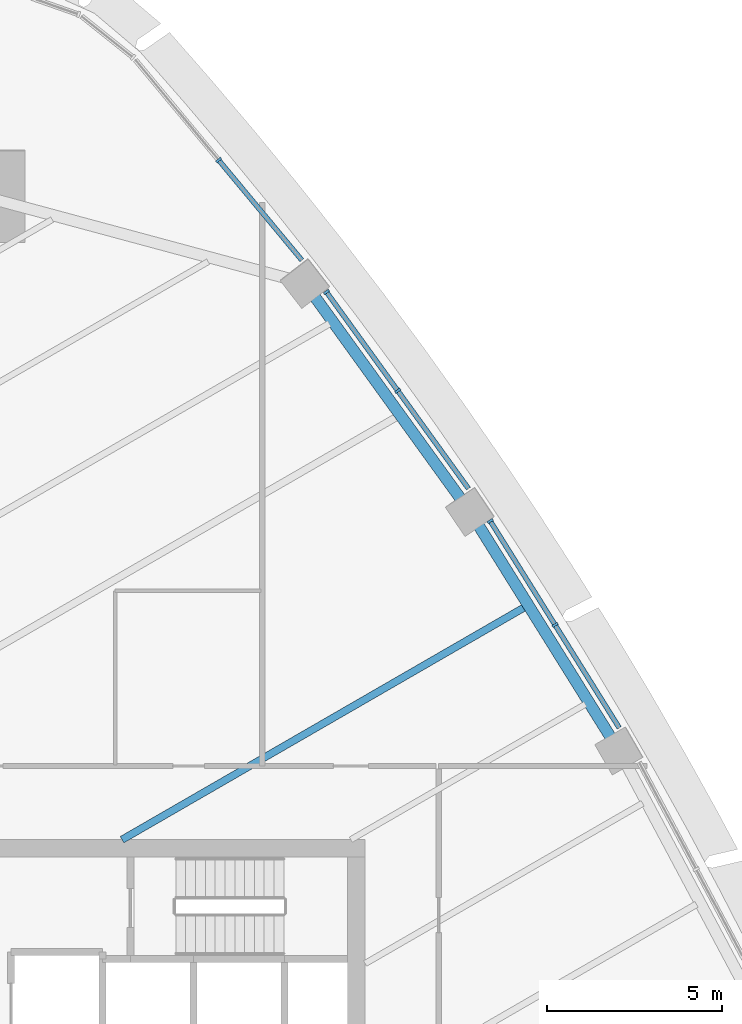
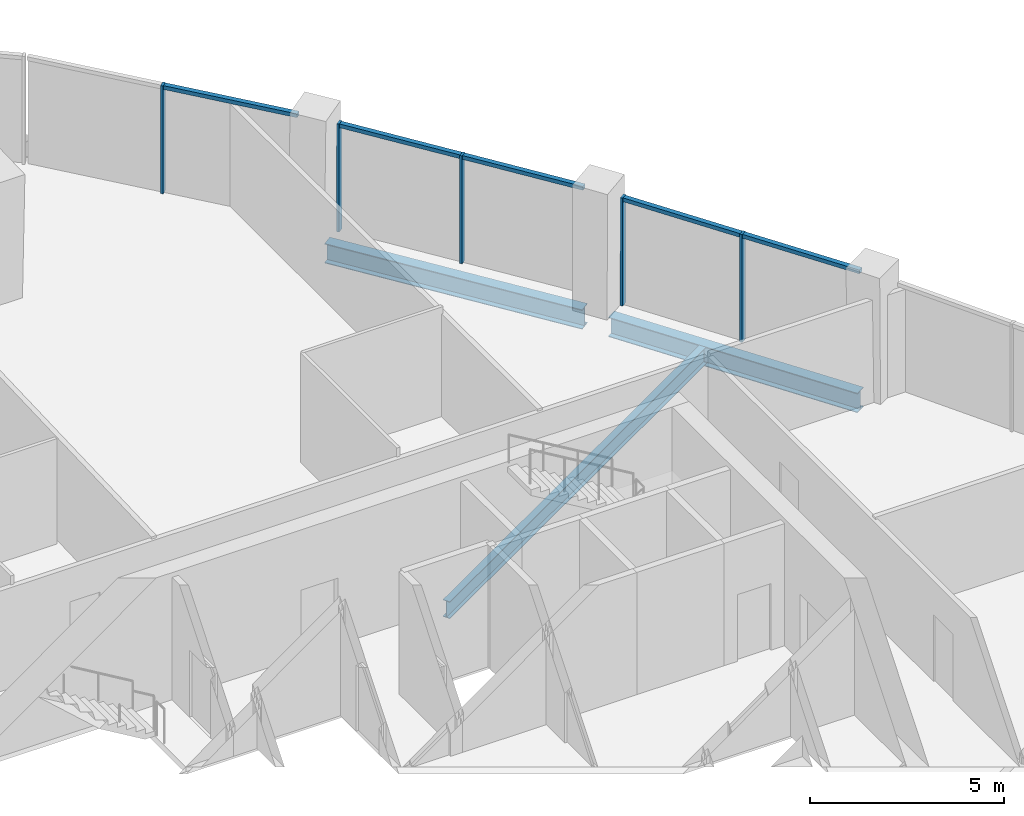
# One storey, part 6 of 18: 10 members, 3 beams, 3 elements without a shape of their own.
"""IFC4 building model written with IfcOpenShell, lengths in metres."""

from ifc_helpers import new_model, si_unit, direction, frame, origin, origin_2d, place, context, subcontext, project, spatial, rectangle, i_section, extrude, material, layer, layer_set, material_profile, profile_set, type_object, element, aggregate, save


model = new_model("IFC4")

# Units and contexts
model_context = context("Model", 3, precision=1e-05, world=origin(), true_north=direction((0.0, 1.0)))
body_context = subcontext(model_context, "Body", "Model", "MODEL_VIEW")
ifc_project = project(units=[si_unit("LENGTHUNIT", "METRE"), si_unit("AREAUNIT", "SQUARE_METRE"), si_unit("VOLUMEUNIT", "CUBIC_METRE"), si_unit("PLANEANGLEUNIT", "RADIAN"), si_unit("MASSUNIT", "GRAM", prefix="KILO")], contexts=[model_context])

# Site, building, storey
site_placement = place(None, origin())
site = spatial("IfcSite", under=ifc_project, at=site_placement, CompositionType="ELEMENT")
building_placement = place(site_placement, origin())
building = spatial("IfcBuilding", under=site, at=building_placement, Name="Sierra Prisma Convention Tower", CompositionType="ELEMENT")
storey_placement = place(building_placement, frame((0.0, 0.0, 205.800048828125)))
storey = spatial("IfcBuildingStorey", under=building, at=storey_placement, Name="L46", CompositionType="ELEMENT", Elevation=205.800048828125)

# Curtain wall, members
ifc_material_1 = material(Name="Aluminium and glass curtain wall", Category="aluminium")
ifc_layer = layer(ifc_material_1, 0.179931640625)
ifc_layer_set = layer_set([ifc_layer], Name="CW-1 Plain shaft curtain wall")
curtain_wall_type = type_object("IfcCurtainWallType", Name="CW-1 Plain shaft curtain wall", PredefinedType="NOTDEFINED", material=ifc_layer_set)
curtain_wall_1_placement = place(storey_placement, origin())
curtain_wall_1 = element("IfcCurtainWall", 1, at=curtain_wall_1_placement, inside=storey, type_object=curtain_wall_type, Name="CW-1 NE4 L46", PredefinedType="NOTDEFINED")
ifc_material_2 = material(Name="Aluminium 6063-T6 bronze anodised", Category="aluminium")
ifc_material_profile_1 = material_profile(ifc_material_2, rectangle(XDim=0.179931640625, YDim=0.070068359375, at=origin_2d()), Name="ALU MULLION 70x180")
ifc_profile_set_1 = profile_set([ifc_material_profile_1], Name="Aluminium 6063-T6 bronze anodised")
member_type_1 = type_object("IfcMemberType", Name="CW mullion bronze", PredefinedType="MULLION", material=ifc_profile_set_1)
member_1_placement = place(storey_placement, frame((16.420166015625, 14.12890625, 0.0), z_axis=(0.0, 0.0, 1.0), x_axis=(-0.848554908311, -0.529107330871, 0.0)))
member_1 = element("IfcMember", 2, at=member_1_placement, type_object=member_type_1, Name="CW-1 mullion NE4.2", PredefinedType="MULLION", context=body_context, shape_type="SweptSolid", body=[
    extrude(rectangle(XDim=0.179931640625, YDim=0.070068359375, at=origin_2d()), origin(), (0.0, 0.0, 1.0), 3.39990234375),
])
member_2_placement = place(storey_placement, frame((14.57177734375, 17.093017578125, 0.0), z_axis=(0.0, 0.0, 1.0), x_axis=(-0.848554908311, -0.529107330871, 0.0)))
member_2 = element("IfcMember", 3, at=member_2_placement, type_object=member_type_1, Name="CW-1 mullion NE4.3", PredefinedType="MULLION", context=body_context, shape_type="SweptSolid", body=[
    extrude(rectangle(XDim=0.179931640625, YDim=0.070068359375, at=origin_2d()), origin(), (0.0, 0.0, 1.0), 3.39990234375),
])

curtain_wall_2_placement = place(storey_placement, origin())
curtain_wall_2 = element("IfcCurtainWall", 4, at=curtain_wall_2_placement, inside=storey, type_object=curtain_wall_type, Name="CW-1 NE5 L46", PredefinedType="NOTDEFINED")
member_3_placement = place(storey_placement, frame((11.932861328125, 20.810546875, 0.0), z_axis=(0.0, 0.0, 1.0), x_axis=(-0.810701414499, -0.585459833404, 0.0)))
member_3 = element("IfcMember", 5, at=member_3_placement, type_object=member_type_1, Name="CW-1 mullion NE5.2", PredefinedType="MULLION", context=body_context, shape_type="SweptSolid", body=[
    extrude(rectangle(XDim=0.179931640625, YDim=0.070068359375, at=origin_2d()), origin(), (0.0, 0.0, 1.0), 3.39990234375),
])
member_4_placement = place(storey_placement, frame((9.896728515625, 23.63037109375, 0.0), z_axis=(0.0, 0.0, 1.0), x_axis=(-0.810701414499, -0.585459833404, 0.0)))
member_4 = element("IfcMember", 6, at=member_4_placement, type_object=member_type_1, Name="CW-1 mullion NE5.3", PredefinedType="MULLION", context=body_context, shape_type="SweptSolid", body=[
    extrude(rectangle(XDim=0.179931640625, YDim=0.070068359375, at=origin_2d()), origin(), (0.0, 0.0, 1.0), 3.39990234375),
])

# Curtain wall, member
curtain_wall_3_placement = place(storey_placement, origin())
curtain_wall_3 = element("IfcCurtainWall", 7, at=curtain_wall_3_placement, inside=storey, type_object=curtain_wall_type, Name="CW-1 NE6 L46", PredefinedType="NOTDEFINED")
member_5_placement = place(storey_placement, frame((6.8203125, 27.3935546875, 0.0), z_axis=(0.0, 0.0, 1.0), x_axis=(-0.76911181007, -0.639114249263, 0.0)))
member_5 = element("IfcMember", 8, at=member_5_placement, type_object=member_type_1, Name="CW-1 mullion NE6.2", PredefinedType="MULLION", context=body_context, shape_type="SweptSolid", body=[
    extrude(rectangle(XDim=0.179931640625, YDim=0.070068359375, at=origin_2d()), origin(), (0.0, 0.0, 1.0), 3.39990234375),
])

# Member
ifc_material_3 = material(Name="Aluminium 6063-T6 bronze anodised", Category="aluminium")
ifc_material_profile_2 = material_profile(ifc_material_3, rectangle(XDim=0.139892578125, YDim=0.1201171875, at=origin_2d()), Name="ALU TRANSOM 120x140")
ifc_profile_set_2 = profile_set([ifc_material_profile_2], Name="Aluminium 6063-T6 bronze anodised")
member_type_2 = type_object("IfcMemberType", Name="CW transom bronze", PredefinedType="USERDEFINED", material=ifc_profile_set_2)
member_6_placement = place(storey_placement, frame((18.25, 11.1943359375, 3.33984375), z_axis=(-0.529113978265, 0.848550763364, 0.0), x_axis=(-0.848550763364, -0.529113978265, 0.0)))
member_6 = element("IfcMember", 9, at=member_6_placement, type_object=member_type_2, Name="CW-1 transom NE4.1", ObjectType="TRANSOM", PredefinedType="USERDEFINED", context=body_context, shape_type="SweptSolid", body=[
    extrude(rectangle(XDim=0.139892578125, YDim=0.1201171875, at=origin_2d()), origin(), (0.0, 0.0, 1.0), 3.42333984375),
])

member_7_placement = place(storey_placement, frame((16.401611328125, 14.15869140625, 3.33984375), z_axis=(-0.529113978265, 0.848550763364, 0.0), x_axis=(-0.848550763364, -0.529113978265, 0.0)))
member_7 = element("IfcMember", 10, at=member_7_placement, type_object=member_type_2, Name="CW-1 transom NE4.2", ObjectType="TRANSOM", PredefinedType="USERDEFINED", context=body_context, shape_type="SweptSolid", body=[
    extrude(rectangle(XDim=0.139892578125, YDim=0.1201171875, at=origin_2d()), origin(), (0.0, 0.0, 1.0), 3.42333984375),
])

aggregate(curtain_wall_1, [member_1, member_2, member_6, member_7])

member_8_placement = place(storey_placement, frame((13.94873046875, 18.01953125, 3.33984375), z_axis=(-0.58550624749, 0.810667893869, 0.0), x_axis=(-0.810667893869, -0.58550624749, 0.0)))
member_8 = element("IfcMember", 11, at=member_8_placement, type_object=member_type_2, Name="CW-1 transom NE5.1", ObjectType="TRANSOM", PredefinedType="USERDEFINED", context=body_context, shape_type="SweptSolid", body=[
    extrude(rectangle(XDim=0.139892578125, YDim=0.1201171875, at=origin_2d()), origin(), (0.0, 0.0, 1.0), 3.407958984375),
])

member_9_placement = place(storey_placement, frame((11.912353515625, 20.839111328125, 3.33984375), z_axis=(-0.585459164579, 0.8107018975, 0.0), x_axis=(-0.8107018975, -0.585459164579, 0.0)))
member_9 = element("IfcMember", 12, at=member_9_placement, type_object=member_type_2, Name="CW-1 transom NE5.2", ObjectType="TRANSOM", PredefinedType="USERDEFINED", context=body_context, shape_type="SweptSolid", body=[
    extrude(rectangle(XDim=0.139892578125, YDim=0.1201171875, at=origin_2d()), origin(), (0.0, 0.0, 1.0), 3.40771484375),
])

aggregate(curtain_wall_2, [member_3, member_4, member_8, member_9])

member_10_placement = place(storey_placement, frame((9.1943359375, 24.536865234375, 3.33984375), z_axis=(-0.639119949248, 0.769107073477, 0.0), x_axis=(-0.769107073477, -0.639119949248, 0.0)))
member_10 = element("IfcMember", 13, at=member_10_placement, type_object=member_type_2, Name="CW-1 transom NE6.1", ObjectType="TRANSOM", PredefinedType="USERDEFINED", context=body_context, shape_type="SweptSolid", body=[
    extrude(rectangle(XDim=0.139892578125, YDim=0.1201171875, at=origin_2d()), origin(), (0.0, 0.0, 1.0), 3.679443359375),
])

aggregate(curtain_wall_3, [member_5, member_10])

# Beams
ifc_material_4 = material(Name="Steel ASTM A992 Gr 50", Category="steel")
ifc_material_profile_3 = material_profile(ifc_material_4, i_section(OverallWidth=0.208984375, OverallDepth=0.532958984375, WebThickness=0.01025390625, FlangeThickness=0.015625, at=origin_2d()), Name="W530x92")
ifc_profile_set_3 = profile_set([ifc_material_profile_3], Name="Steel ASTM A992 Gr 50")
beam_type_1 = type_object("IfcBeamType", Name="Floor joist W530x92", PredefinedType="JOIST", material=ifc_profile_set_3)
beam_1_placement = place(storey_placement, frame((15.55859375, 14.636962890625, -0.41650390625), z_axis=(-0.86602631787, -0.499998416754, 0.0), x_axis=(0.499998416754, -0.86602631787, 0.0)))
element("IfcBeam", 14, at=beam_1_placement, inside=storey, type_object=beam_type_1, Name="Floor joist L46 NE09", PredefinedType="JOIST", context=body_context, shape_type="SweptSolid", body=[
    extrude(i_section(OverallWidth=0.208984375, OverallDepth=0.532958984375, WebThickness=0.01025390625, FlangeThickness=0.015625, at=origin_2d()), origin(), (0.0, 0.0, 1.0), 13.27392578125),
])
ifc_material_5 = material(Name="Steel ASTM A992 Gr 50", Category="steel")
ifc_material_profile_4 = material_profile(ifc_material_5, i_section(OverallWidth=0.324951171875, OverallDepth=0.615966796875, WebThickness=0.013916015625, FlangeThickness=0.021484375, at=origin_2d()), Name="W610x174")
ifc_profile_set_4 = profile_set([ifc_material_profile_4], Name="Steel ASTM A992 Gr 50")
beam_type_2 = type_object("IfcBeamType", Name="Spandrel beam W610x174", PredefinedType="BEAM", material=ifc_profile_set_4)
beam_2_placement = place(storey_placement, frame((18.047119140625, 10.8583984375, -0.4580078125), z_axis=(-0.529088798369, 0.848566463773, 0.0), x_axis=(-0.848566463773, -0.529088798369, 0.0)))
element("IfcBeam", 15, at=beam_2_placement, inside=storey, type_object=beam_type_2, Name="Spandrel L46-10", PredefinedType="BEAM", context=body_context, shape_type="SweptSolid", body=[
    extrude(i_section(OverallWidth=0.324951171875, OverallDepth=0.615966796875, WebThickness=0.013916015625, FlangeThickness=0.021484375, at=origin_2d()), origin(), (0.0, 0.0, 1.0), 7.2841796875),
])
beam_3_placement = place(storey_placement, frame((13.76904296875, 17.67041015625, -0.4580078125), z_axis=(-0.585444050386, 0.810712812202, 0.0), x_axis=(-0.810712812202, -0.585444050386, 0.0)))
element("IfcBeam", 16, at=beam_3_placement, inside=storey, type_object=beam_type_2, Name="Spandrel L46-11", PredefinedType="BEAM", context=body_context, shape_type="SweptSolid", body=[
    extrude(i_section(OverallWidth=0.324951171875, OverallDepth=0.615966796875, WebThickness=0.013916015625, FlangeThickness=0.021484375, at=origin_2d()), origin(), (0.0, 0.0, 1.0), 7.283935546875),
])

save(model, "model.ifc")
